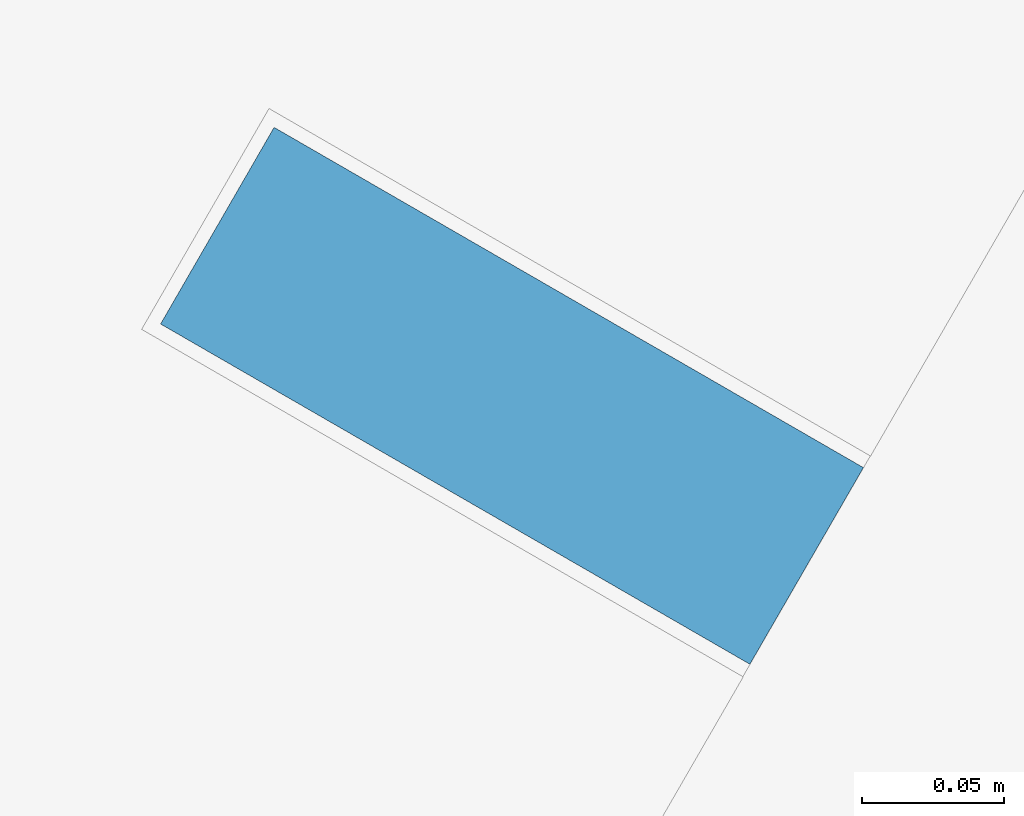
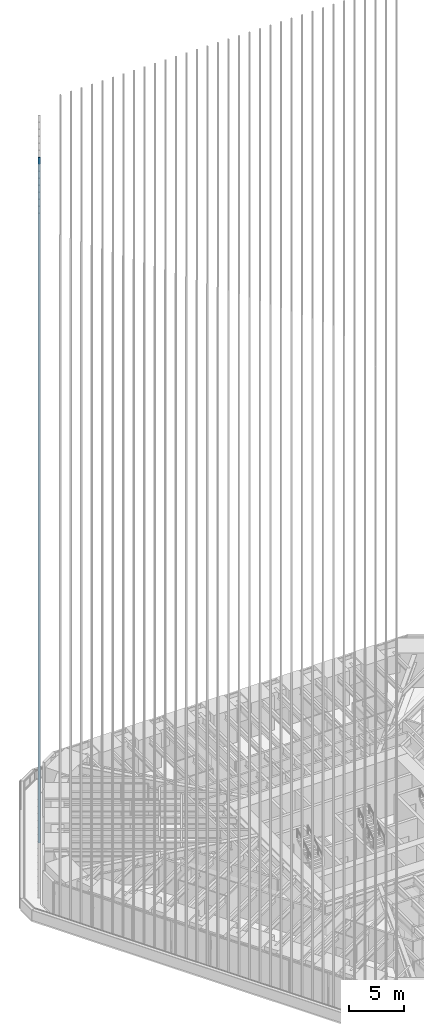
# One storey, part 137 of 238: 1 member, 1 element without a shape of its own.
"""IFC4 building model written with IfcOpenShell, lengths in metres."""

from ifc_helpers import new_model, si_unit, direction, frame, origin, origin_2d, place, context, subcontext, project, spatial, rectangle, extrude, material, material_profile, profile_set, type_object, element, aggregate, save


model = new_model("IFC4")

# Units and contexts
model_context = context("Model", 3, precision=1e-05, world=origin(), true_north=direction((0.0, 1.0)))
body_context = subcontext(model_context, "Body", "Model", "MODEL_VIEW")
ifc_project = project(units=[si_unit("LENGTHUNIT", "METRE"), si_unit("AREAUNIT", "SQUARE_METRE"), si_unit("VOLUMEUNIT", "CUBIC_METRE"), si_unit("PLANEANGLEUNIT", "RADIAN"), si_unit("MASSUNIT", "GRAM", prefix="KILO")], contexts=[model_context])

# Site, building, storey
site_placement = place(None, origin())
site = spatial("IfcSite", under=ifc_project, at=site_placement, CompositionType="ELEMENT")
building_placement = place(site_placement, origin())
building = spatial("IfcBuilding", under=site, at=building_placement, Name="Sandreach Pilgrim Tower", CompositionType="ELEMENT")
storey_placement = place(building_placement, frame((0.0, 0.0, 96.800048828125)))
storey = spatial("IfcBuildingStorey", under=building, at=storey_placement, Name="L23", CompositionType="ELEMENT", Elevation=96.800048828125)

# Curtain wall, member
ifc_material_1 = material(Name="Aluminium framed curtain wall", Category="aluminium")
curtain_wall_type = type_object("IfcCurtainWallType", Name="Hotel tower curtain wall", PredefinedType="NOTDEFINED", material=ifc_material_1)
curtain_wall_placement = place(storey_placement, origin())
curtain_wall = element("IfcCurtainWall", 1, at=curtain_wall_placement, inside=storey, type_object=curtain_wall_type, Name="CW-2 L23 NW", PredefinedType="NOTDEFINED")
ifc_material_2 = material(Name="Extruded terracotta on aluminium core", Category="masonry")
ifc_material_profile = material_profile(ifc_material_2, rectangle(XDim=0.080078125, YDim=0.239990234375, at=origin_2d()), Name="TBW 80X240")
ifc_profile_set = profile_set([ifc_material_profile], Name="Extruded terracotta on aluminium core")
member_type = type_object("IfcMemberType", Name="Terracotta baguette west", PredefinedType="USERDEFINED", material=ifc_profile_set)
member_placement = place(storey_placement, frame((-24.2255859375, 15.2646484375, 0.0), z_axis=(0.0, 0.0, 1.0), x_axis=(0.5, 0.866025403784, 0.0)))
member = element("IfcMember", 2, at=member_placement, type_object=member_type, Name="Baguette Z2 NW09", ObjectType="BAGUETTE", PredefinedType="USERDEFINED", context=body_context, shape_type="SweptSolid", body=[
    extrude(rectangle(XDim=0.080078125, YDim=0.239990234375, at=origin_2d()), origin(), (0.0, 0.0, 1.0), 75.83984375),
])
aggregate(curtain_wall, [member])

save(model, "model.ifc")
